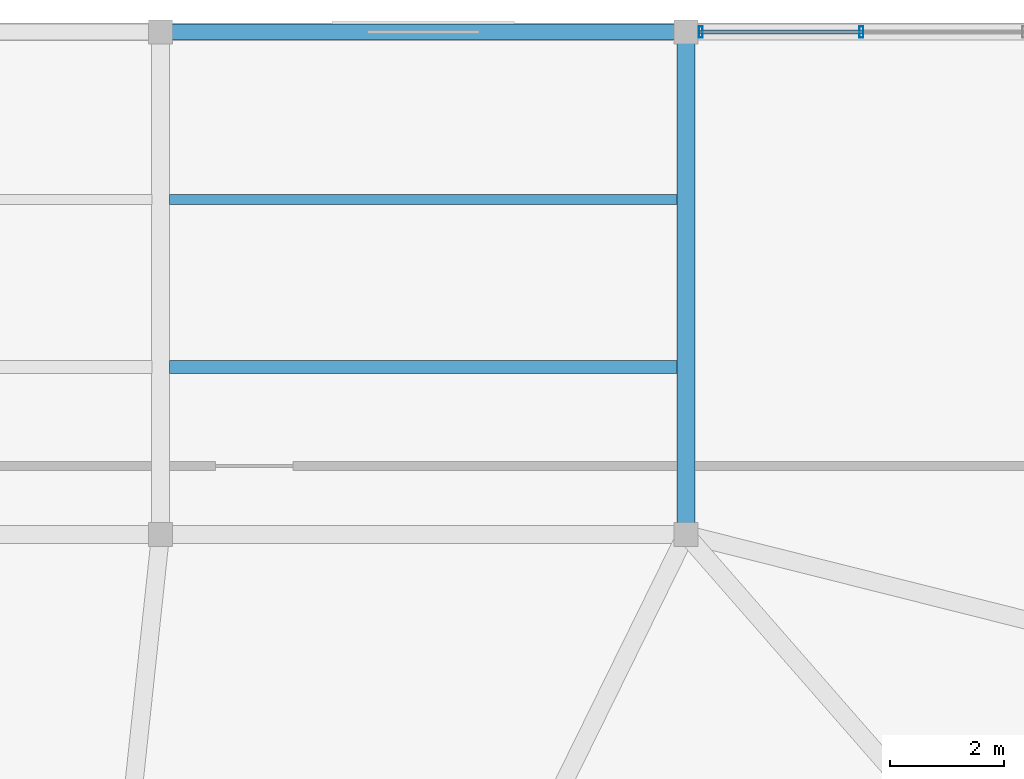
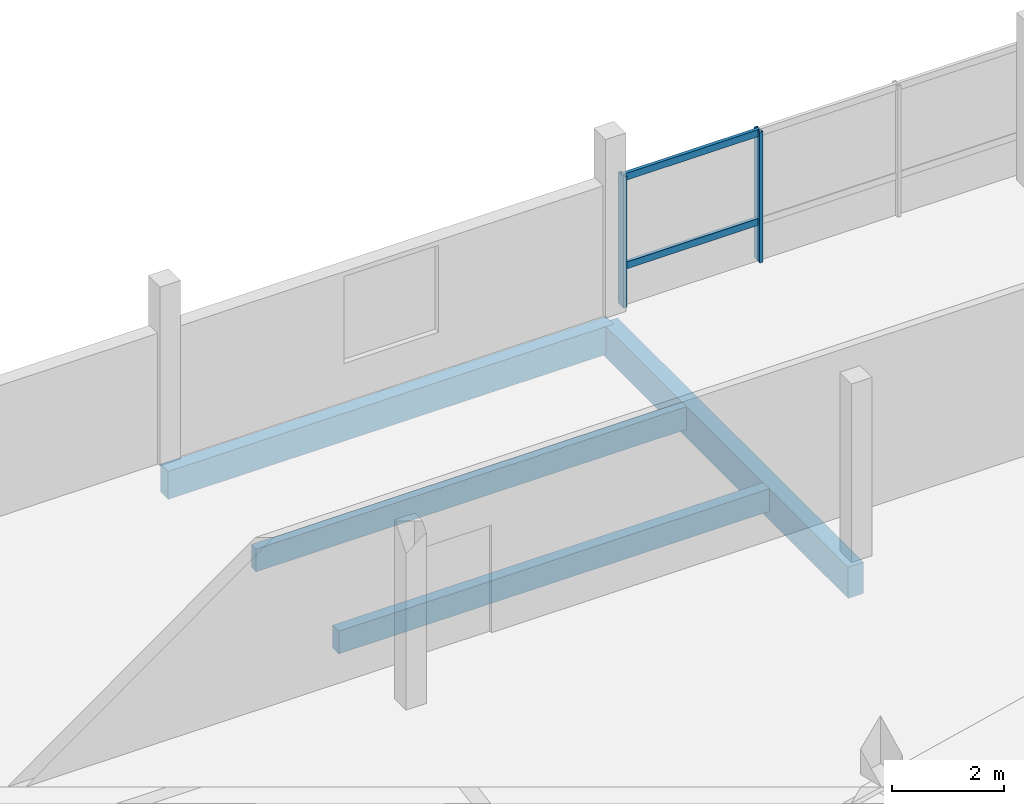
# One storey, part 33 of 47: 4 beams, 4 members, 1 element without a shape of its own.
"""IFC4 building model written with IfcOpenShell, lengths in metres."""

from ifc_helpers import new_model, si_unit, direction, frame, origin, origin_2d, place, context, subcontext, project, spatial, rectangle, hollow_rectangle, extrude, material, layer, layer_set, material_profile, profile_set, type_object, element, aggregate, save


model = new_model("IFC4")

# Units and contexts
model_context = context("Model", 3, precision=1e-05, world=origin(), true_north=direction((0.0, 1.0)))
body_context = subcontext(model_context, "Body", "Model", "MODEL_VIEW")
ifc_project = project(units=[si_unit("LENGTHUNIT", "METRE"), si_unit("AREAUNIT", "SQUARE_METRE"), si_unit("VOLUMEUNIT", "CUBIC_METRE"), si_unit("PLANEANGLEUNIT", "RADIAN"), si_unit("MASSUNIT", "GRAM", prefix="KILO")], contexts=[model_context])

# Site, building, storey
site_placement = place(None, origin())
site = spatial("IfcSite", under=ifc_project, at=site_placement, CompositionType="ELEMENT")
building_placement = place(site_placement, origin())
building = spatial("IfcBuilding", under=site, at=building_placement, Name="Meriwether Solvik Hall", CompositionType="ELEMENT")
storey_placement = place(building_placement, frame((0.0, 0.0, 18.300048828125)))
storey = spatial("IfcBuildingStorey", under=building, at=storey_placement, Name="L04", CompositionType="ELEMENT", Elevation=18.300048828125)

# Beams
ifc_material_1 = material(Name="Glulam Douglas-Fir 24F-V8 GL28h", Category="wood")
ifc_material_profile_1 = material_profile(ifc_material_1, rectangle(XDim=0.27294921875, YDim=0.610107421875, at=origin_2d()), Name="GLB-273X610")
ifc_profile_set_1 = profile_set([ifc_material_profile_1], Name="Glulam Douglas-Fir 24F-V8 GL28h")
beam_type_1 = type_object("IfcBeamType", Name="BM-GL-273X610", PredefinedType="SPANDREL", material=ifc_profile_set_1)
beam_1_placement = place(storey_placement, frame((68.60009765625, 92.800048828125, -0.550048828125), z_axis=(1.0, 0.0, 0.0), x_axis=(0.0, 1.0, 0.0)))
element("IfcBeam", 1, at=beam_1_placement, inside=storey, type_object=beam_type_1, Name="Podium Girder K:8-9 (L04)", PredefinedType="SPANDREL", context=body_context, shape_type="SweptSolid", body=[
    extrude(rectangle(XDim=0.27294921875, YDim=0.610107421875, at=origin_2d()), origin(), (0.0, 0.0, 1.0), 9.199951171875),
])
ifc_material_2 = material(Name="Glulam Douglas-Fir 24F-V8 GL28h", Category="wood")
ifc_material_profile_2 = material_profile(ifc_material_2, rectangle(XDim=0.31494140625, YDim=0.68505859375, at=origin_2d()), Name="GLB-315X685")
ifc_profile_set_2 = profile_set([ifc_material_profile_2], Name="Glulam Douglas-Fir 24F-V8 GL28h")
beam_type_2 = type_object("IfcBeamType", Name="BM-GL-315X685", PredefinedType="BEAM", material=ifc_profile_set_2)
beam_2_placement = place(storey_placement, frame((77.800048828125, 84.0, -0.587646484375), z_axis=(0.0, 1.0, 0.0), x_axis=(-1.0, 0.0, 0.0)))
element("IfcBeam", 2, at=beam_2_placement, inside=storey, type_object=beam_type_2, Name="Podium Girder 9:J-K (L04)", PredefinedType="BEAM", context=body_context, shape_type="SweptSolid", body=[
    extrude(rectangle(XDim=0.31494140625, YDim=0.68505859375, at=origin_2d()), origin(), (0.0, 0.0, 1.0), 8.800048828125),
])

# Curtain wall, members
ifc_material_3 = material(Name="Thermally Broken Anodised Aluminium 6063-T6 and Low-E Glass", Category="aluminium")
ifc_layer = layer(ifc_material_3, 0.179931640625)
ifc_layer_set = layer_set([ifc_layer], Name="Thermally Broken Anodised Aluminium 6063-T6 and Low-E Glass")
curtain_wall_type = type_object("IfcCurtainWallType", Name="CW-UNIT-E", PredefinedType="USERDEFINED", material=ifc_layer_set)
curtain_wall_placement = place(storey_placement, origin())
curtain_wall = element("IfcCurtainWall", 3, at=curtain_wall_placement, inside=storey, type_object=curtain_wall_type, Name="Curtain Wall wing_XK_9_8 (L04)", ObjectType="UNITISED CURTAIN WALL", PredefinedType="USERDEFINED")
ifc_material_4 = material(Name="Anodised Aluminium 6063-T6", Category="aluminium")
ifc_material_profile_3 = material_profile(ifc_material_4, hollow_rectangle(XDim=0.070068359375, YDim=0.199951171875, WallThickness=0.0048828125, at=origin_2d()), Name="CWM-70X200")
ifc_profile_set_3 = profile_set([ifc_material_profile_3], Name="Anodised Aluminium 6063-T6")
member_type_1 = type_object("IfcMemberType", Name="CW-MUL-70X200", PredefinedType="MULLION", material=ifc_profile_set_3)
member_1_placement = place(storey_placement, frame((78.06005859375, 92.800048828125, 0.0), z_axis=(0.0, 0.0, 1.0), x_axis=(1.0, 0.0, 0.0)))
member_1 = element("IfcMember", 4, at=member_1_placement, type_object=member_type_1, Name="Curtain Wall Mullion 1", PredefinedType="MULLION", context=body_context, shape_type="SweptSolid", body=[
    extrude(hollow_rectangle(XDim=0.070068359375, YDim=0.199951171875, WallThickness=0.0048828125, at=origin_2d()), origin(), (0.0, 0.0, 1.0), 2.85498046875),
])
member_2_placement = place(storey_placement, frame((80.8740234375, 92.800048828125, 0.0), z_axis=(0.0, 0.0, 1.0), x_axis=(1.0, 0.0, 0.0)))
member_2 = element("IfcMember", 5, at=member_2_placement, type_object=member_type_1, Name="Curtain Wall Mullion 2", PredefinedType="MULLION", context=body_context, shape_type="SweptSolid", body=[
    extrude(hollow_rectangle(XDim=0.070068359375, YDim=0.199951171875, WallThickness=0.0048828125, at=origin_2d()), origin(), (0.0, 0.0, 1.0), 2.85498046875),
])
ifc_material_5 = material(Name="Anodised Aluminium 6063-T6", Category="aluminium")
ifc_material_profile_4 = material_profile(ifc_material_5, hollow_rectangle(XDim=0.070068359375, YDim=0.14990234375, WallThickness=0.0048828125, at=origin_2d()), Name="CWT-70X150")
ifc_profile_set_4 = profile_set([ifc_material_profile_4], Name="Anodised Aluminium 6063-T6")
member_type_2 = type_object("IfcMemberType", Name="CW-TRN-70X150", PredefinedType="USERDEFINED", material=ifc_profile_set_4)
member_3_placement = place(storey_placement, frame((78.06005859375, 92.800048828125, 0.8564453125), z_axis=(1.0, 0.0, 0.0), x_axis=(0.0, 1.0, 0.0)))
member_3 = element("IfcMember", 6, at=member_3_placement, type_object=member_type_2, Name="Curtain Wall Transom 1-sill", ObjectType="TRANSOM", PredefinedType="USERDEFINED", context=body_context, shape_type="SweptSolid", body=[
    extrude(hollow_rectangle(XDim=0.070068359375, YDim=0.14990234375, WallThickness=0.0048828125, at=origin_2d()), origin(), (0.0, 0.0, 1.0), 2.81396484375),
])
member_4_placement = place(storey_placement, frame((78.06005859375, 92.800048828125, 2.794921875), z_axis=(1.0, 0.0, 0.0), x_axis=(0.0, 1.0, 0.0)))
member_4 = element("IfcMember", 7, at=member_4_placement, type_object=member_type_2, Name="Curtain Wall Transom 1-head", ObjectType="TRANSOM", PredefinedType="USERDEFINED", context=body_context, shape_type="SweptSolid", body=[
    extrude(hollow_rectangle(XDim=0.070068359375, YDim=0.14990234375, WallThickness=0.0048828125, at=origin_2d()), origin(), (0.0, 0.0, 1.0), 2.81396484375),
])
aggregate(curtain_wall, [member_1, member_2, member_3, member_4])

# Beams
ifc_material_6 = material(Name="Glulam Douglas-Fir 24F-V8 GL28h", Category="wood")
ifc_material_profile_5 = material_profile(ifc_material_6, rectangle(XDim=0.175048828125, YDim=0.4951171875, at=origin_2d()), Name="GLJ-175X495")
ifc_profile_set_5 = profile_set([ifc_material_profile_5], Name="Glulam Douglas-Fir 24F-V8 GL28h")
beam_type_3 = type_object("IfcBeamType", Name="JST-GL-175X495", PredefinedType="JOIST", material=ifc_profile_set_5)
beam_3_placement = place(storey_placement, frame((68.75244140625, 89.86669921875, -0.492431640625), z_axis=(1.0, 0.0, 0.0), x_axis=(0.0, 1.0, 0.0)))
element("IfcBeam", 8, at=beam_3_placement, inside=storey, type_object=beam_type_3, Name="Secondary Floor Joist 8/J_J2 (L04)", PredefinedType="JOIST", context=body_context, shape_type="SweptSolid", body=[
    extrude(rectangle(XDim=0.175048828125, YDim=0.4951171875, at=origin_2d()), origin(), (0.0, 0.0, 1.0), 8.89501953125),
])
ifc_material_7 = material(Name="Glulam Douglas-Fir 24F-V8 GL28h", Category="wood")
ifc_material_profile_6 = material_profile(ifc_material_7, rectangle(XDim=0.221923828125, YDim=0.4951171875, at=origin_2d()), Name="GLJ-222X495")
ifc_profile_set_6 = profile_set([ifc_material_profile_6], Name="Glulam Douglas-Fir 24F-V8 GL28h")
beam_type_4 = type_object("IfcBeamType", Name="JST-GL-222X495", PredefinedType="JOIST", material=ifc_profile_set_6)
beam_4_placement = place(storey_placement, frame((68.75244140625, 86.933349609375, -0.492431640625), z_axis=(1.0, 0.0, 0.0), x_axis=(0.0, 1.0, 0.0)))
element("IfcBeam", 9, at=beam_4_placement, inside=storey, type_object=beam_type_4, Name="Secondary Floor Joist 8/J_J1 (L04)", PredefinedType="JOIST", context=body_context, shape_type="SweptSolid", body=[
    extrude(rectangle(XDim=0.221923828125, YDim=0.4951171875, at=origin_2d()), origin(), (0.0, 0.0, 1.0), 8.89501953125),
])

save(model, "model.ifc")
